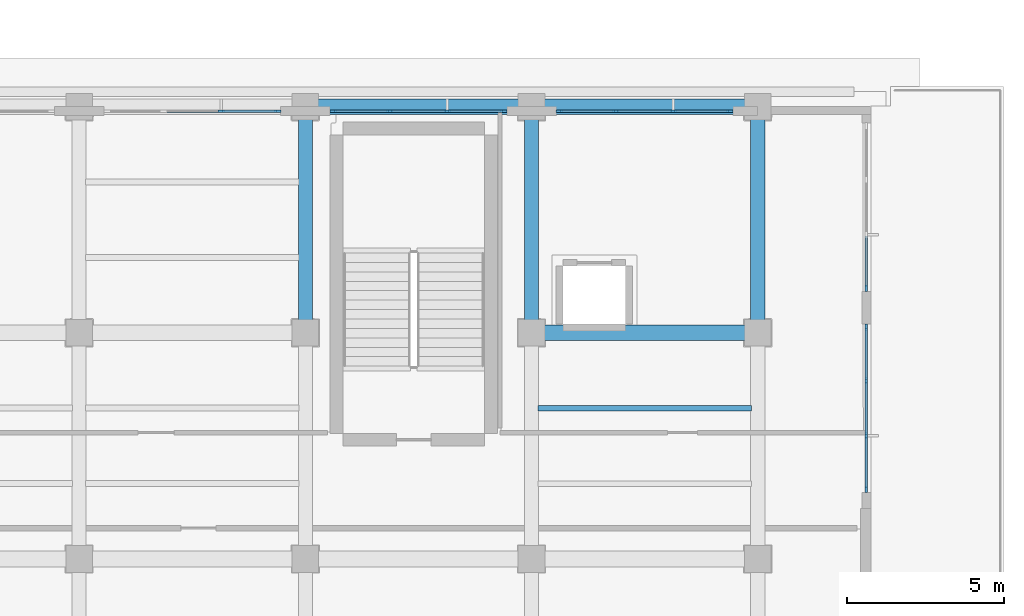
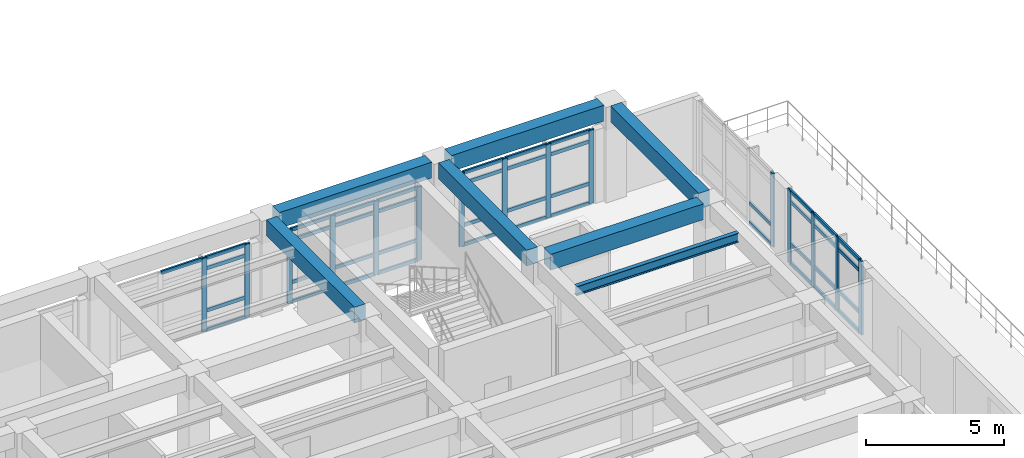
# One storey, part 58 of 98: 58 members, 7 beams, 5 elements without a shape of their own.
"""IFC4 building model written with IfcOpenShell, lengths in metres."""

from ifc_helpers import new_model, si_unit, direction, frame, origin, origin_2d, place, context, subcontext, project, spatial, rectangle, i_section, extrude, material, layer, layer_set, material_profile, profile_set, type_object, element, aggregate, save


model = new_model("IFC4")

# Units and contexts
model_context = context("Model", 3, precision=1e-05, world=origin(), true_north=direction((0.0, 1.0)))
body_context = subcontext(model_context, "Body", "Model", "MODEL_VIEW")
ifc_project = project(units=[si_unit("LENGTHUNIT", "METRE"), si_unit("AREAUNIT", "SQUARE_METRE"), si_unit("VOLUMEUNIT", "CUBIC_METRE"), si_unit("PLANEANGLEUNIT", "RADIAN"), si_unit("MASSUNIT", "GRAM", prefix="KILO")], contexts=[model_context])

# Site, building, storey
site_placement = place(None, origin())
site = spatial("IfcSite", under=ifc_project, at=site_placement, CompositionType="ELEMENT")
building_placement = place(site_placement, origin())
building = spatial("IfcBuilding", under=site, at=building_placement, Name="Solenvale Faculty of Natural Sciences", CompositionType="ELEMENT")
storey_placement = place(building_placement, frame((0.0, 0.0, 9.0)))
storey = spatial("IfcBuildingStorey", under=building, at=storey_placement, Name="L02", CompositionType="ELEMENT", Elevation=9.0)

# Beams
ifc_material_1 = material(Name="Concrete 40 MPa", Category="concrete")
ifc_material_profile_1 = material_profile(ifc_material_1, rectangle(XDim=0.449951171875, YDim=0.699951171875, at=origin_2d()), Name="RC-BM-450x700")
ifc_profile_set_1 = profile_set([ifc_material_profile_1], Name="Concrete 40 MPa")
beam_type_1 = type_object("IfcBeamType", Name="BM-RC-450x700", PredefinedType="BEAM", material=ifc_profile_set_1)
for number, where, z_axis, x_axis, name in (
    (1, (144.0, 50.804931640625, 3.8701171875), (0.0, 1.0, 0.0), (-1.0, 0.0, 0.0), "L02 Y-Girder X144.0 (50.4..57.6)"),
    (2, (151.199951171875, 50.804931640625, 3.8701171875), (0.0, 1.0, 0.0), (-1.0, 0.0, 0.0), "L02 Y-Girder X151.2 (50.4..57.6)"),
    (3, (158.39990234375, 50.804931640625, 3.8701171875), (0.0, 1.0, 0.0), (-1.0, 0.0, 0.0), "L02 Y-Girder X158.4 (50.4..57.6)"),
):
    element("IfcBeam", number, at=place(storey_placement, frame(where, z_axis=z_axis, x_axis=x_axis)), inside=storey, type_object=beam_type_1, Name=name, PredefinedType="BEAM", context=body_context, shape_type="SweptSolid", body=[
        extrude(rectangle(XDim=0.449951171875, YDim=0.699951171875, at=origin_2d()), origin(), (0.0, 0.0, 1.0), 6.39013671875),
    ])
ifc_material_profile_2 = material_profile(ifc_material_1, rectangle(XDim=0.5, YDim=0.699951171875, at=origin_2d()), Name="RC-BM-500x700")
ifc_profile_set_2 = profile_set([ifc_material_profile_2], Name="Concrete 40 MPa")
beam_type_2 = type_object("IfcBeamType", Name="BM-RC-500x700", PredefinedType="BEAM", material=ifc_profile_set_2)
beam_1_placement = place(storey_placement, frame((151.60498046875, 50.39990234375, 3.8701171875), z_axis=(1.0, 0.0, 0.0), x_axis=(0.0, 1.0, 0.0)))
element("IfcBeam", 4, at=beam_1_placement, inside=storey, type_object=beam_type_2, Name="L02 X-Girder Y50.4 (151.2..158.4)", PredefinedType="BEAM", context=body_context, shape_type="SweptSolid", body=[
    extrude(rectangle(XDim=0.5, YDim=0.699951171875, at=origin_2d()), origin(), (0.0, 0.0, 1.0), 6.39013671875),
])
beam_2_placement = place(storey_placement, frame((144.405029296875, 57.60009765625, 3.8701171875), z_axis=(1.0, 0.0, 0.0), x_axis=(0.0, 1.0, 0.0)))
element("IfcBeam", 5, at=beam_2_placement, inside=storey, type_object=beam_type_2, Name="L02 X-Girder Y57.6 (144.0..151.2)", PredefinedType="BEAM", context=body_context, shape_type="SweptSolid", body=[
    extrude(rectangle(XDim=0.5, YDim=0.699951171875, at=origin_2d()), origin(), (0.0, 0.0, 1.0), 6.389892578125),
])
beam_3_placement = place(storey_placement, frame((151.60498046875, 57.60009765625, 3.8701171875), z_axis=(1.0, 0.0, 0.0), x_axis=(0.0, 1.0, 0.0)))
element("IfcBeam", 6, at=beam_3_placement, inside=storey, type_object=beam_type_2, Name="L02 X-Girder Y57.6 (151.2..158.4)", PredefinedType="BEAM", context=body_context, shape_type="SweptSolid", body=[
    extrude(rectangle(XDim=0.5, YDim=0.699951171875, at=origin_2d()), origin(), (0.0, 0.0, 1.0), 6.39013671875),
])
ifc_material_2 = material(Name="Steel S355", Category="steel")
ifc_material_profile_3 = material_profile(ifc_material_2, i_section(OverallWidth=0.178955078125, OverallDepth=0.409912109375, WebThickness=0.0087890625, FlangeThickness=0.014404296875, FilletRadius=0.01611328125, at=origin_2d()), Name="W410x67")
ifc_profile_set_3 = profile_set([ifc_material_profile_3], Name="Steel S355")
beam_type_3 = type_object("IfcBeamType", Name="BM-STL-W410x67", PredefinedType="JOIST", material=ifc_profile_set_3)
beam_4_placement = place(storey_placement, frame((151.405029296875, 48.0, 4.014892578125), z_axis=(1.0, 0.0, 0.0), x_axis=(0.0, 1.0, 0.0)))
element("IfcBeam", 7, at=beam_4_placement, inside=storey, type_object=beam_type_3, Name="L02 Composite Floor Joist (22,7).2", PredefinedType="JOIST", context=body_context, shape_type="SweptSolid", body=[
    extrude(i_section(OverallWidth=0.178955078125, OverallDepth=0.409912109375, WebThickness=0.0087890625, FlangeThickness=0.014404296875, FilletRadius=0.01611328125, at=origin_2d()), origin(), (0.0, 0.0, 1.0), 6.7900390625),
])

# Curtain wall, members
ifc_material_3 = material(Name="Anodised bronze aluminium", Category="aluminium")
ifc_layer = layer(ifc_material_3, 0.199951171875)
ifc_layer_set = layer_set([ifc_layer], Name="Anodised bronze aluminium")
curtain_wall_type = type_object("IfcCurtainWallType", Name="CW-COM-FIN", PredefinedType="USERDEFINED", material=ifc_layer_set)
curtain_wall_1_placement = place(storey_placement, origin())
curtain_wall_1 = element("IfcCurtainWall", 8, at=curtain_wall_1_placement, inside=storey, type_object=curtain_wall_type, Name="L02 Curtain Wall CW-L02-P1-E3-B3", ObjectType="UNITISED CURTAIN WALL", PredefinedType="USERDEFINED")
ifc_material_profile_4 = material_profile(ifc_material_3, rectangle(XDim=0.074951171875, YDim=0.2099609375, at=origin_2d()), Name="ALU-MUL-75x210")
ifc_profile_set_4 = profile_set([ifc_material_profile_4], Name="Anodised bronze aluminium")
member_type_1 = type_object("IfcMemberType", Name="CWM-ALU-75x210", PredefinedType="MULLION", material=ifc_profile_set_4)
member_1_placement = place(storey_placement, frame((161.857421875, 45.41748046875, 0.0), z_axis=(0.0, 0.0, 1.0), x_axis=(-1.0, 0.0, 0.0)))
member_1 = element("IfcMember", 9, at=member_1_placement, type_object=member_type_1, Name="CW-03 mullion 1", PredefinedType="MULLION", context=body_context, shape_type="SweptSolid", body=[
    extrude(rectangle(XDim=0.074951171875, YDim=0.2099609375, at=origin_2d()), origin(), (0.0, 0.0, 1.0), 3.260009765625),
])
member_2_placement = place(storey_placement, frame((161.857421875, 47.126708984375, 0.0), z_axis=(0.0, 0.0, 1.0), x_axis=(-1.0, 0.0, 0.0)))
member_2 = element("IfcMember", 10, at=member_2_placement, type_object=member_type_1, Name="CW-03 mullion 2", PredefinedType="MULLION", context=body_context, shape_type="SweptSolid", body=[
    extrude(rectangle(XDim=0.074951171875, YDim=0.2099609375, at=origin_2d()), origin(), (0.0, 0.0, 1.0), 3.260009765625),
])
member_3_placement = place(storey_placement, frame((161.857421875, 48.873291015625, 0.0), z_axis=(0.0, 0.0, 1.0), x_axis=(-1.0, 0.0, 0.0)))
member_3 = element("IfcMember", 11, at=member_3_placement, type_object=member_type_1, Name="CW-03 mullion 3", PredefinedType="MULLION", context=body_context, shape_type="SweptSolid", body=[
    extrude(rectangle(XDim=0.074951171875, YDim=0.2099609375, at=origin_2d()), origin(), (0.0, 0.0, 1.0), 3.260009765625),
])
member_4_placement = place(storey_placement, frame((161.857421875, 50.58251953125, 0.0), z_axis=(0.0, 0.0, 1.0), x_axis=(-1.0, 0.0, 0.0)))
member_4 = element("IfcMember", 12, at=member_4_placement, type_object=member_type_1, Name="CW-03 mullion 4", PredefinedType="MULLION", context=body_context, shape_type="SweptSolid", body=[
    extrude(rectangle(XDim=0.074951171875, YDim=0.2099609375, at=origin_2d()), origin(), (0.0, 0.0, 1.0), 3.260009765625),
])

# Curtain wall, member
curtain_wall_2_placement = place(storey_placement, origin())
curtain_wall_2 = element("IfcCurtainWall", 13, at=curtain_wall_2_placement, inside=storey, type_object=curtain_wall_type, Name="L02 Curtain Wall CW-L02-P1-E3-B4", ObjectType="UNITISED CURTAIN WALL", PredefinedType="USERDEFINED")
member_5_placement = place(storey_placement, frame((161.857421875, 51.8173828125, 0.0), z_axis=(0.0, 0.0, 1.0), x_axis=(-1.0, 0.0, 0.0)))
member_5 = element("IfcMember", 14, at=member_5_placement, type_object=member_type_1, Name="CW-03 mullion 1", PredefinedType="MULLION", context=body_context, shape_type="SweptSolid", body=[
    extrude(rectangle(XDim=0.074951171875, YDim=0.2099609375, at=origin_2d()), origin(), (0.0, 0.0, 1.0), 3.260009765625),
])

# Curtain wall, members
curtain_wall_3_placement = place(storey_placement, origin())
curtain_wall_3 = element("IfcCurtainWall", 15, at=curtain_wall_3_placement, inside=storey, type_object=curtain_wall_type, Name="L02 Curtain Wall CW-L02-P1-E4-B2", ObjectType="UNITISED CURTAIN WALL", PredefinedType="USERDEFINED")
member_6_placement = place(storey_placement, frame((157.512451171875, 57.45751953125, 0.0), z_axis=(0.0, 0.0, 1.0), x_axis=(0.0, -1.0, 0.0)))
member_6 = element("IfcMember", 16, at=member_6_placement, type_object=member_type_1, Name="CW-03 mullion 1", PredefinedType="MULLION", context=body_context, shape_type="SweptSolid", body=[
    extrude(rectangle(XDim=0.074951171875, YDim=0.2099609375, at=origin_2d()), origin(), (0.0, 0.0, 1.0), 3.260009765625),
])
member_7_placement = place(storey_placement, frame((155.716552734375, 57.45751953125, 0.0), z_axis=(0.0, 0.0, 1.0), x_axis=(0.0, -1.0, 0.0)))
member_7 = element("IfcMember", 17, at=member_7_placement, type_object=member_type_1, Name="CW-03 mullion 2", PredefinedType="MULLION", context=body_context, shape_type="SweptSolid", body=[
    extrude(rectangle(XDim=0.074951171875, YDim=0.2099609375, at=origin_2d()), origin(), (0.0, 0.0, 1.0), 3.260009765625),
])
member_8_placement = place(storey_placement, frame((153.88330078125, 57.45751953125, 0.0), z_axis=(0.0, 0.0, 1.0), x_axis=(0.0, -1.0, 0.0)))
member_8 = element("IfcMember", 18, at=member_8_placement, type_object=member_type_1, Name="CW-03 mullion 3", PredefinedType="MULLION", context=body_context, shape_type="SweptSolid", body=[
    extrude(rectangle(XDim=0.074951171875, YDim=0.2099609375, at=origin_2d()), origin(), (0.0, 0.0, 1.0), 3.260009765625),
])
member_9_placement = place(storey_placement, frame((152.08740234375, 57.45751953125, 0.0), z_axis=(0.0, 0.0, 1.0), x_axis=(0.0, -1.0, 0.0)))
member_9 = element("IfcMember", 19, at=member_9_placement, type_object=member_type_1, Name="CW-03 mullion 4", PredefinedType="MULLION", context=body_context, shape_type="SweptSolid", body=[
    extrude(rectangle(XDim=0.074951171875, YDim=0.2099609375, at=origin_2d()), origin(), (0.0, 0.0, 1.0), 3.260009765625),
])

curtain_wall_4_placement = place(storey_placement, origin())
curtain_wall_4 = element("IfcCurtainWall", 20, at=curtain_wall_4_placement, inside=storey, type_object=curtain_wall_type, Name="L02 Curtain Wall CW-L02-P1-E4-B3", ObjectType="UNITISED CURTAIN WALL", PredefinedType="USERDEFINED")
member_10_placement = place(storey_placement, frame((150.3125, 57.45751953125, 0.0), z_axis=(0.0, 0.0, 1.0), x_axis=(0.0, -1.0, 0.0)))
member_10 = element("IfcMember", 21, at=member_10_placement, type_object=member_type_1, Name="CW-03 mullion 1", PredefinedType="MULLION", context=body_context, shape_type="SweptSolid", body=[
    extrude(rectangle(XDim=0.074951171875, YDim=0.2099609375, at=origin_2d()), origin(), (0.0, 0.0, 1.0), 3.260009765625),
])
member_11_placement = place(storey_placement, frame((148.5166015625, 57.45751953125, 0.0), z_axis=(0.0, 0.0, 1.0), x_axis=(0.0, -1.0, 0.0)))
member_11 = element("IfcMember", 22, at=member_11_placement, type_object=member_type_1, Name="CW-03 mullion 2", PredefinedType="MULLION", context=body_context, shape_type="SweptSolid", body=[
    extrude(rectangle(XDim=0.074951171875, YDim=0.2099609375, at=origin_2d()), origin(), (0.0, 0.0, 1.0), 3.260009765625),
])
member_12_placement = place(storey_placement, frame((146.683349609375, 57.45751953125, 0.0), z_axis=(0.0, 0.0, 1.0), x_axis=(0.0, -1.0, 0.0)))
member_12 = element("IfcMember", 23, at=member_12_placement, type_object=member_type_1, Name="CW-03 mullion 3", PredefinedType="MULLION", context=body_context, shape_type="SweptSolid", body=[
    extrude(rectangle(XDim=0.074951171875, YDim=0.2099609375, at=origin_2d()), origin(), (0.0, 0.0, 1.0), 3.260009765625),
])
member_13_placement = place(storey_placement, frame((144.887451171875, 57.45751953125, 0.0), z_axis=(0.0, 0.0, 1.0), x_axis=(0.0, -1.0, 0.0)))
member_13 = element("IfcMember", 24, at=member_13_placement, type_object=member_type_1, Name="CW-03 mullion 4", PredefinedType="MULLION", context=body_context, shape_type="SweptSolid", body=[
    extrude(rectangle(XDim=0.074951171875, YDim=0.2099609375, at=origin_2d()), origin(), (0.0, 0.0, 1.0), 3.260009765625),
])

curtain_wall_5_placement = place(storey_placement, origin())
curtain_wall_5 = element("IfcCurtainWall", 25, at=curtain_wall_5_placement, inside=storey, type_object=curtain_wall_type, Name="L02 Curtain Wall CW-L02-P1-E4-B4", ObjectType="UNITISED CURTAIN WALL", PredefinedType="USERDEFINED")
member_14_placement = place(storey_placement, frame((143.112548828125, 57.45751953125, 0.0), z_axis=(0.0, 0.0, 1.0), x_axis=(0.0, -1.0, 0.0)))
member_14 = element("IfcMember", 26, at=member_14_placement, type_object=member_type_1, Name="CW-03 mullion 1", PredefinedType="MULLION", context=body_context, shape_type="SweptSolid", body=[
    extrude(rectangle(XDim=0.074951171875, YDim=0.2099609375, at=origin_2d()), origin(), (0.0, 0.0, 1.0), 3.260009765625),
])
member_15_placement = place(storey_placement, frame((141.316650390625, 57.45751953125, 0.0), z_axis=(0.0, 0.0, 1.0), x_axis=(0.0, -1.0, 0.0)))
member_15 = element("IfcMember", 27, at=member_15_placement, type_object=member_type_1, Name="CW-03 mullion 2", PredefinedType="MULLION", context=body_context, shape_type="SweptSolid", body=[
    extrude(rectangle(XDim=0.074951171875, YDim=0.2099609375, at=origin_2d()), origin(), (0.0, 0.0, 1.0), 3.260009765625),
])

# Member
ifc_material_profile_5 = material_profile(ifc_material_3, rectangle(XDim=0.074951171875, YDim=0.155029296875, at=origin_2d()), Name="ALU-TRN-75x155")
ifc_profile_set_5 = profile_set([ifc_material_profile_5], Name="Anodised bronze aluminium")
member_type_2 = type_object("IfcMemberType", Name="CWT-ALU-75x155", PredefinedType="USERDEFINED", material=ifc_profile_set_5)
member_16_placement = place(storey_placement, frame((161.857421875, 45.455078125, 0.03759765625), z_axis=(0.0, 1.0, 0.0), x_axis=(-1.0, 0.0, 0.0)))
member_16 = element("IfcMember", 28, at=member_16_placement, type_object=member_type_2, Name="CW-03 transom 1.1", ObjectType="TRANSOM", PredefinedType="USERDEFINED", context=body_context, shape_type="SweptSolid", body=[
    extrude(rectangle(XDim=0.074951171875, YDim=0.155029296875, at=origin_2d()), origin(), (0.0, 0.0, 1.0), 1.634033203125),
])

member_17_placement = place(storey_placement, frame((161.857421875, 45.455078125, 0.89990234375), z_axis=(0.0, 1.0, 0.0), x_axis=(-1.0, 0.0, 0.0)))
member_17 = element("IfcMember", 29, at=member_17_placement, type_object=member_type_2, Name="CW-03 transom 1.2", ObjectType="TRANSOM", PredefinedType="USERDEFINED", context=body_context, shape_type="SweptSolid", body=[
    extrude(rectangle(XDim=0.074951171875, YDim=0.155029296875, at=origin_2d()), origin(), (0.0, 0.0, 1.0), 1.634033203125),
])

member_18_placement = place(storey_placement, frame((161.857421875, 45.455078125, 2.760009765625), z_axis=(0.0, 1.0, 0.0), x_axis=(-1.0, 0.0, 0.0)))
member_18 = element("IfcMember", 30, at=member_18_placement, type_object=member_type_2, Name="CW-03 transom 1.3", ObjectType="TRANSOM", PredefinedType="USERDEFINED", context=body_context, shape_type="SweptSolid", body=[
    extrude(rectangle(XDim=0.074951171875, YDim=0.155029296875, at=origin_2d()), origin(), (0.0, 0.0, 1.0), 1.634033203125),
])

member_19_placement = place(storey_placement, frame((161.857421875, 45.455078125, 3.222412109375), z_axis=(0.0, 1.0, 0.0), x_axis=(-1.0, 0.0, 0.0)))
member_19 = element("IfcMember", 31, at=member_19_placement, type_object=member_type_2, Name="CW-03 transom 1.4", ObjectType="TRANSOM", PredefinedType="USERDEFINED", context=body_context, shape_type="SweptSolid", body=[
    extrude(rectangle(XDim=0.074951171875, YDim=0.155029296875, at=origin_2d()), origin(), (0.0, 0.0, 1.0), 1.634033203125),
])

member_20_placement = place(storey_placement, frame((161.857421875, 47.1640625, 0.03759765625), z_axis=(0.0, 1.0, 0.0), x_axis=(-1.0, 0.0, 0.0)))
member_20 = element("IfcMember", 32, at=member_20_placement, type_object=member_type_2, Name="CW-03 transom 2.1", ObjectType="TRANSOM", PredefinedType="USERDEFINED", context=body_context, shape_type="SweptSolid", body=[
    extrude(rectangle(XDim=0.074951171875, YDim=0.155029296875, at=origin_2d()), origin(), (0.0, 0.0, 1.0), 1.671875),
])

member_21_placement = place(storey_placement, frame((161.857421875, 47.1640625, 0.89990234375), z_axis=(0.0, 1.0, 0.0), x_axis=(-1.0, 0.0, 0.0)))
member_21 = element("IfcMember", 33, at=member_21_placement, type_object=member_type_2, Name="CW-03 transom 2.2", ObjectType="TRANSOM", PredefinedType="USERDEFINED", context=body_context, shape_type="SweptSolid", body=[
    extrude(rectangle(XDim=0.074951171875, YDim=0.155029296875, at=origin_2d()), origin(), (0.0, 0.0, 1.0), 1.671875),
])

member_22_placement = place(storey_placement, frame((161.857421875, 47.1640625, 2.760009765625), z_axis=(0.0, 1.0, 0.0), x_axis=(-1.0, 0.0, 0.0)))
member_22 = element("IfcMember", 34, at=member_22_placement, type_object=member_type_2, Name="CW-03 transom 2.3", ObjectType="TRANSOM", PredefinedType="USERDEFINED", context=body_context, shape_type="SweptSolid", body=[
    extrude(rectangle(XDim=0.074951171875, YDim=0.155029296875, at=origin_2d()), origin(), (0.0, 0.0, 1.0), 1.671875),
])

member_23_placement = place(storey_placement, frame((161.857421875, 47.1640625, 3.222412109375), z_axis=(0.0, 1.0, 0.0), x_axis=(-1.0, 0.0, 0.0)))
member_23 = element("IfcMember", 35, at=member_23_placement, type_object=member_type_2, Name="CW-03 transom 2.4", ObjectType="TRANSOM", PredefinedType="USERDEFINED", context=body_context, shape_type="SweptSolid", body=[
    extrude(rectangle(XDim=0.074951171875, YDim=0.155029296875, at=origin_2d()), origin(), (0.0, 0.0, 1.0), 1.671875),
])

member_24_placement = place(storey_placement, frame((161.857421875, 48.910888671875, 0.03759765625), z_axis=(0.0, 1.0, 0.0), x_axis=(-1.0, 0.0, 0.0)))
member_24 = element("IfcMember", 36, at=member_24_placement, type_object=member_type_2, Name="CW-03 transom 3.1", ObjectType="TRANSOM", PredefinedType="USERDEFINED", context=body_context, shape_type="SweptSolid", body=[
    extrude(rectangle(XDim=0.074951171875, YDim=0.155029296875, at=origin_2d()), origin(), (0.0, 0.0, 1.0), 1.634033203125),
])

member_25_placement = place(storey_placement, frame((161.857421875, 48.910888671875, 0.89990234375), z_axis=(0.0, 1.0, 0.0), x_axis=(-1.0, 0.0, 0.0)))
member_25 = element("IfcMember", 37, at=member_25_placement, type_object=member_type_2, Name="CW-03 transom 3.2", ObjectType="TRANSOM", PredefinedType="USERDEFINED", context=body_context, shape_type="SweptSolid", body=[
    extrude(rectangle(XDim=0.074951171875, YDim=0.155029296875, at=origin_2d()), origin(), (0.0, 0.0, 1.0), 1.634033203125),
])

member_26_placement = place(storey_placement, frame((161.857421875, 48.910888671875, 2.760009765625), z_axis=(0.0, 1.0, 0.0), x_axis=(-1.0, 0.0, 0.0)))
member_26 = element("IfcMember", 38, at=member_26_placement, type_object=member_type_2, Name="CW-03 transom 3.3", ObjectType="TRANSOM", PredefinedType="USERDEFINED", context=body_context, shape_type="SweptSolid", body=[
    extrude(rectangle(XDim=0.074951171875, YDim=0.155029296875, at=origin_2d()), origin(), (0.0, 0.0, 1.0), 1.634033203125),
])

member_27_placement = place(storey_placement, frame((161.857421875, 48.910888671875, 3.222412109375), z_axis=(0.0, 1.0, 0.0), x_axis=(-1.0, 0.0, 0.0)))
member_27 = element("IfcMember", 39, at=member_27_placement, type_object=member_type_2, Name="CW-03 transom 3.4", ObjectType="TRANSOM", PredefinedType="USERDEFINED", context=body_context, shape_type="SweptSolid", body=[
    extrude(rectangle(XDim=0.074951171875, YDim=0.155029296875, at=origin_2d()), origin(), (0.0, 0.0, 1.0), 1.634033203125),
])

aggregate(curtain_wall_1, [member_1, member_2, member_3, member_4, member_16, member_17, member_18, member_19, member_20, member_21, member_22, member_23, member_24, member_25, member_26, member_27])

member_28_placement = place(storey_placement, frame((161.857421875, 51.85498046875, 0.03759765625), z_axis=(0.0, 1.0, 0.0), x_axis=(-1.0, 0.0, 0.0)))
member_28 = element("IfcMember", 40, at=member_28_placement, type_object=member_type_2, Name="CW-03 transom 1.1", ObjectType="TRANSOM", PredefinedType="USERDEFINED", context=body_context, shape_type="SweptSolid", body=[
    extrude(rectangle(XDim=0.074951171875, YDim=0.155029296875, at=origin_2d()), origin(), (0.0, 0.0, 1.0), 1.63427734375),
])

member_29_placement = place(storey_placement, frame((161.857421875, 51.85498046875, 0.89990234375), z_axis=(0.0, 1.0, 0.0), x_axis=(-1.0, 0.0, 0.0)))
member_29 = element("IfcMember", 41, at=member_29_placement, type_object=member_type_2, Name="CW-03 transom 1.2", ObjectType="TRANSOM", PredefinedType="USERDEFINED", context=body_context, shape_type="SweptSolid", body=[
    extrude(rectangle(XDim=0.074951171875, YDim=0.155029296875, at=origin_2d()), origin(), (0.0, 0.0, 1.0), 1.63427734375),
])

aggregate(curtain_wall_2, [member_5, member_28, member_29])

member_30_placement = place(storey_placement, frame((157.47509765625, 57.45751953125, 0.03759765625), z_axis=(-1.0, 0.0, 0.0), x_axis=(0.0, -1.0, 0.0)))
member_30 = element("IfcMember", 42, at=member_30_placement, type_object=member_type_2, Name="CW-03 transom 1.1", ObjectType="TRANSOM", PredefinedType="USERDEFINED", context=body_context, shape_type="SweptSolid", body=[
    extrude(rectangle(XDim=0.074951171875, YDim=0.155029296875, at=origin_2d()), origin(), (0.0, 0.0, 1.0), 1.720947265625),
])

member_31_placement = place(storey_placement, frame((157.47509765625, 57.45751953125, 0.89990234375), z_axis=(-1.0, 0.0, 0.0), x_axis=(0.0, -1.0, 0.0)))
member_31 = element("IfcMember", 43, at=member_31_placement, type_object=member_type_2, Name="CW-03 transom 1.2", ObjectType="TRANSOM", PredefinedType="USERDEFINED", context=body_context, shape_type="SweptSolid", body=[
    extrude(rectangle(XDim=0.074951171875, YDim=0.155029296875, at=origin_2d()), origin(), (0.0, 0.0, 1.0), 1.720947265625),
])

member_32_placement = place(storey_placement, frame((157.47509765625, 57.45751953125, 2.760009765625), z_axis=(-1.0, 0.0, 0.0), x_axis=(0.0, -1.0, 0.0)))
member_32 = element("IfcMember", 44, at=member_32_placement, type_object=member_type_2, Name="CW-03 transom 1.3", ObjectType="TRANSOM", PredefinedType="USERDEFINED", context=body_context, shape_type="SweptSolid", body=[
    extrude(rectangle(XDim=0.074951171875, YDim=0.155029296875, at=origin_2d()), origin(), (0.0, 0.0, 1.0), 1.720947265625),
])

member_33_placement = place(storey_placement, frame((157.47509765625, 57.45751953125, 3.222412109375), z_axis=(-1.0, 0.0, 0.0), x_axis=(0.0, -1.0, 0.0)))
member_33 = element("IfcMember", 45, at=member_33_placement, type_object=member_type_2, Name="CW-03 transom 1.4", ObjectType="TRANSOM", PredefinedType="USERDEFINED", context=body_context, shape_type="SweptSolid", body=[
    extrude(rectangle(XDim=0.074951171875, YDim=0.155029296875, at=origin_2d()), origin(), (0.0, 0.0, 1.0), 1.720947265625),
])

member_34_placement = place(storey_placement, frame((155.67919921875, 57.45751953125, 0.03759765625), z_axis=(-1.0, 0.0, 0.0), x_axis=(0.0, -1.0, 0.0)))
member_34 = element("IfcMember", 46, at=member_34_placement, type_object=member_type_2, Name="CW-03 transom 2.1", ObjectType="TRANSOM", PredefinedType="USERDEFINED", context=body_context, shape_type="SweptSolid", body=[
    extrude(rectangle(XDim=0.074951171875, YDim=0.155029296875, at=origin_2d()), origin(), (0.0, 0.0, 1.0), 1.75830078125),
])

member_35_placement = place(storey_placement, frame((155.67919921875, 57.45751953125, 0.89990234375), z_axis=(-1.0, 0.0, 0.0), x_axis=(0.0, -1.0, 0.0)))
member_35 = element("IfcMember", 47, at=member_35_placement, type_object=member_type_2, Name="CW-03 transom 2.2", ObjectType="TRANSOM", PredefinedType="USERDEFINED", context=body_context, shape_type="SweptSolid", body=[
    extrude(rectangle(XDim=0.074951171875, YDim=0.155029296875, at=origin_2d()), origin(), (0.0, 0.0, 1.0), 1.75830078125),
])

member_36_placement = place(storey_placement, frame((155.67919921875, 57.45751953125, 2.760009765625), z_axis=(-1.0, 0.0, 0.0), x_axis=(0.0, -1.0, 0.0)))
member_36 = element("IfcMember", 48, at=member_36_placement, type_object=member_type_2, Name="CW-03 transom 2.3", ObjectType="TRANSOM", PredefinedType="USERDEFINED", context=body_context, shape_type="SweptSolid", body=[
    extrude(rectangle(XDim=0.074951171875, YDim=0.155029296875, at=origin_2d()), origin(), (0.0, 0.0, 1.0), 1.75830078125),
])

member_37_placement = place(storey_placement, frame((155.67919921875, 57.45751953125, 3.222412109375), z_axis=(-1.0, 0.0, 0.0), x_axis=(0.0, -1.0, 0.0)))
member_37 = element("IfcMember", 49, at=member_37_placement, type_object=member_type_2, Name="CW-03 transom 2.4", ObjectType="TRANSOM", PredefinedType="USERDEFINED", context=body_context, shape_type="SweptSolid", body=[
    extrude(rectangle(XDim=0.074951171875, YDim=0.155029296875, at=origin_2d()), origin(), (0.0, 0.0, 1.0), 1.75830078125),
])

member_38_placement = place(storey_placement, frame((153.845947265625, 57.45751953125, 0.03759765625), z_axis=(-1.0, 0.0, 0.0), x_axis=(0.0, -1.0, 0.0)))
member_38 = element("IfcMember", 50, at=member_38_placement, type_object=member_type_2, Name="CW-03 transom 3.1", ObjectType="TRANSOM", PredefinedType="USERDEFINED", context=body_context, shape_type="SweptSolid", body=[
    extrude(rectangle(XDim=0.074951171875, YDim=0.155029296875, at=origin_2d()), origin(), (0.0, 0.0, 1.0), 1.720947265625),
])

member_39_placement = place(storey_placement, frame((153.845947265625, 57.45751953125, 0.89990234375), z_axis=(-1.0, 0.0, 0.0), x_axis=(0.0, -1.0, 0.0)))
member_39 = element("IfcMember", 51, at=member_39_placement, type_object=member_type_2, Name="CW-03 transom 3.2", ObjectType="TRANSOM", PredefinedType="USERDEFINED", context=body_context, shape_type="SweptSolid", body=[
    extrude(rectangle(XDim=0.074951171875, YDim=0.155029296875, at=origin_2d()), origin(), (0.0, 0.0, 1.0), 1.720947265625),
])

member_40_placement = place(storey_placement, frame((153.845947265625, 57.45751953125, 2.760009765625), z_axis=(-1.0, 0.0, 0.0), x_axis=(0.0, -1.0, 0.0)))
member_40 = element("IfcMember", 52, at=member_40_placement, type_object=member_type_2, Name="CW-03 transom 3.3", ObjectType="TRANSOM", PredefinedType="USERDEFINED", context=body_context, shape_type="SweptSolid", body=[
    extrude(rectangle(XDim=0.074951171875, YDim=0.155029296875, at=origin_2d()), origin(), (0.0, 0.0, 1.0), 1.720947265625),
])

member_41_placement = place(storey_placement, frame((153.845947265625, 57.45751953125, 3.222412109375), z_axis=(-1.0, 0.0, 0.0), x_axis=(0.0, -1.0, 0.0)))
member_41 = element("IfcMember", 53, at=member_41_placement, type_object=member_type_2, Name="CW-03 transom 3.4", ObjectType="TRANSOM", PredefinedType="USERDEFINED", context=body_context, shape_type="SweptSolid", body=[
    extrude(rectangle(XDim=0.074951171875, YDim=0.155029296875, at=origin_2d()), origin(), (0.0, 0.0, 1.0), 1.720947265625),
])

aggregate(curtain_wall_3, [member_6, member_7, member_8, member_9, member_30, member_31, member_32, member_33, member_34, member_35, member_36, member_37, member_38, member_39, member_40, member_41])

member_42_placement = place(storey_placement, frame((150.27490234375, 57.45751953125, 0.03759765625), z_axis=(-1.0, 0.0, 0.0), x_axis=(0.0, -1.0, 0.0)))
member_42 = element("IfcMember", 54, at=member_42_placement, type_object=member_type_2, Name="CW-03 transom 1.1", ObjectType="TRANSOM", PredefinedType="USERDEFINED", context=body_context, shape_type="SweptSolid", body=[
    extrude(rectangle(XDim=0.074951171875, YDim=0.155029296875, at=origin_2d()), origin(), (0.0, 0.0, 1.0), 1.720703125),
])

member_43_placement = place(storey_placement, frame((150.27490234375, 57.45751953125, 0.89990234375), z_axis=(-1.0, 0.0, 0.0), x_axis=(0.0, -1.0, 0.0)))
member_43 = element("IfcMember", 55, at=member_43_placement, type_object=member_type_2, Name="CW-03 transom 1.2", ObjectType="TRANSOM", PredefinedType="USERDEFINED", context=body_context, shape_type="SweptSolid", body=[
    extrude(rectangle(XDim=0.074951171875, YDim=0.155029296875, at=origin_2d()), origin(), (0.0, 0.0, 1.0), 1.720703125),
])

member_44_placement = place(storey_placement, frame((150.27490234375, 57.45751953125, 2.760009765625), z_axis=(-1.0, 0.0, 0.0), x_axis=(0.0, -1.0, 0.0)))
member_44 = element("IfcMember", 56, at=member_44_placement, type_object=member_type_2, Name="CW-03 transom 1.3", ObjectType="TRANSOM", PredefinedType="USERDEFINED", context=body_context, shape_type="SweptSolid", body=[
    extrude(rectangle(XDim=0.074951171875, YDim=0.155029296875, at=origin_2d()), origin(), (0.0, 0.0, 1.0), 1.720703125),
])

member_45_placement = place(storey_placement, frame((150.27490234375, 57.45751953125, 3.222412109375), z_axis=(-1.0, 0.0, 0.0), x_axis=(0.0, -1.0, 0.0)))
member_45 = element("IfcMember", 57, at=member_45_placement, type_object=member_type_2, Name="CW-03 transom 1.4", ObjectType="TRANSOM", PredefinedType="USERDEFINED", context=body_context, shape_type="SweptSolid", body=[
    extrude(rectangle(XDim=0.074951171875, YDim=0.155029296875, at=origin_2d()), origin(), (0.0, 0.0, 1.0), 1.720703125),
])

member_46_placement = place(storey_placement, frame((148.479248046875, 57.45751953125, 0.03759765625), z_axis=(-1.0, 0.0, 0.0), x_axis=(0.0, -1.0, 0.0)))
member_46 = element("IfcMember", 58, at=member_46_placement, type_object=member_type_2, Name="CW-03 transom 2.1", ObjectType="TRANSOM", PredefinedType="USERDEFINED", context=body_context, shape_type="SweptSolid", body=[
    extrude(rectangle(XDim=0.074951171875, YDim=0.155029296875, at=origin_2d()), origin(), (0.0, 0.0, 1.0), 1.75830078125),
])

member_47_placement = place(storey_placement, frame((148.479248046875, 57.45751953125, 0.89990234375), z_axis=(-1.0, 0.0, 0.0), x_axis=(0.0, -1.0, 0.0)))
member_47 = element("IfcMember", 59, at=member_47_placement, type_object=member_type_2, Name="CW-03 transom 2.2", ObjectType="TRANSOM", PredefinedType="USERDEFINED", context=body_context, shape_type="SweptSolid", body=[
    extrude(rectangle(XDim=0.074951171875, YDim=0.155029296875, at=origin_2d()), origin(), (0.0, 0.0, 1.0), 1.75830078125),
])

member_48_placement = place(storey_placement, frame((148.479248046875, 57.45751953125, 2.760009765625), z_axis=(-1.0, 0.0, 0.0), x_axis=(0.0, -1.0, 0.0)))
member_48 = element("IfcMember", 60, at=member_48_placement, type_object=member_type_2, Name="CW-03 transom 2.3", ObjectType="TRANSOM", PredefinedType="USERDEFINED", context=body_context, shape_type="SweptSolid", body=[
    extrude(rectangle(XDim=0.074951171875, YDim=0.155029296875, at=origin_2d()), origin(), (0.0, 0.0, 1.0), 1.75830078125),
])

member_49_placement = place(storey_placement, frame((148.479248046875, 57.45751953125, 3.222412109375), z_axis=(-1.0, 0.0, 0.0), x_axis=(0.0, -1.0, 0.0)))
member_49 = element("IfcMember", 61, at=member_49_placement, type_object=member_type_2, Name="CW-03 transom 2.4", ObjectType="TRANSOM", PredefinedType="USERDEFINED", context=body_context, shape_type="SweptSolid", body=[
    extrude(rectangle(XDim=0.074951171875, YDim=0.155029296875, at=origin_2d()), origin(), (0.0, 0.0, 1.0), 1.75830078125),
])

member_50_placement = place(storey_placement, frame((146.645751953125, 57.45751953125, 0.03759765625), z_axis=(-1.0, 0.0, 0.0), x_axis=(0.0, -1.0, 0.0)))
member_50 = element("IfcMember", 62, at=member_50_placement, type_object=member_type_2, Name="CW-03 transom 3.1", ObjectType="TRANSOM", PredefinedType="USERDEFINED", context=body_context, shape_type="SweptSolid", body=[
    extrude(rectangle(XDim=0.074951171875, YDim=0.155029296875, at=origin_2d()), origin(), (0.0, 0.0, 1.0), 1.720703125),
])

member_51_placement = place(storey_placement, frame((146.645751953125, 57.45751953125, 0.89990234375), z_axis=(-1.0, 0.0, 0.0), x_axis=(0.0, -1.0, 0.0)))
member_51 = element("IfcMember", 63, at=member_51_placement, type_object=member_type_2, Name="CW-03 transom 3.2", ObjectType="TRANSOM", PredefinedType="USERDEFINED", context=body_context, shape_type="SweptSolid", body=[
    extrude(rectangle(XDim=0.074951171875, YDim=0.155029296875, at=origin_2d()), origin(), (0.0, 0.0, 1.0), 1.720703125),
])

member_52_placement = place(storey_placement, frame((146.645751953125, 57.45751953125, 2.760009765625), z_axis=(-1.0, 0.0, 0.0), x_axis=(0.0, -1.0, 0.0)))
member_52 = element("IfcMember", 64, at=member_52_placement, type_object=member_type_2, Name="CW-03 transom 3.3", ObjectType="TRANSOM", PredefinedType="USERDEFINED", context=body_context, shape_type="SweptSolid", body=[
    extrude(rectangle(XDim=0.074951171875, YDim=0.155029296875, at=origin_2d()), origin(), (0.0, 0.0, 1.0), 1.720703125),
])

member_53_placement = place(storey_placement, frame((146.645751953125, 57.45751953125, 3.222412109375), z_axis=(-1.0, 0.0, 0.0), x_axis=(0.0, -1.0, 0.0)))
member_53 = element("IfcMember", 65, at=member_53_placement, type_object=member_type_2, Name="CW-03 transom 3.4", ObjectType="TRANSOM", PredefinedType="USERDEFINED", context=body_context, shape_type="SweptSolid", body=[
    extrude(rectangle(XDim=0.074951171875, YDim=0.155029296875, at=origin_2d()), origin(), (0.0, 0.0, 1.0), 1.720703125),
])

aggregate(curtain_wall_4, [member_10, member_11, member_12, member_13, member_42, member_43, member_44, member_45, member_46, member_47, member_48, member_49, member_50, member_51, member_52, member_53])

member_54_placement = place(storey_placement, frame((143.074951171875, 57.45751953125, 0.03759765625), z_axis=(-1.0, 0.0, 0.0), x_axis=(0.0, -1.0, 0.0)))
member_54 = element("IfcMember", 66, at=member_54_placement, type_object=member_type_2, Name="CW-03 transom 1.1", ObjectType="TRANSOM", PredefinedType="USERDEFINED", context=body_context, shape_type="SweptSolid", body=[
    extrude(rectangle(XDim=0.074951171875, YDim=0.155029296875, at=origin_2d()), origin(), (0.0, 0.0, 1.0), 1.720703125),
])

member_55_placement = place(storey_placement, frame((143.074951171875, 57.45751953125, 0.89990234375), z_axis=(-1.0, 0.0, 0.0), x_axis=(0.0, -1.0, 0.0)))
member_55 = element("IfcMember", 67, at=member_55_placement, type_object=member_type_2, Name="CW-03 transom 1.2", ObjectType="TRANSOM", PredefinedType="USERDEFINED", context=body_context, shape_type="SweptSolid", body=[
    extrude(rectangle(XDim=0.074951171875, YDim=0.155029296875, at=origin_2d()), origin(), (0.0, 0.0, 1.0), 1.720703125),
])

member_56_placement = place(storey_placement, frame((143.074951171875, 57.45751953125, 2.760009765625), z_axis=(-1.0, 0.0, 0.0), x_axis=(0.0, -1.0, 0.0)))
member_56 = element("IfcMember", 68, at=member_56_placement, type_object=member_type_2, Name="CW-03 transom 1.3", ObjectType="TRANSOM", PredefinedType="USERDEFINED", context=body_context, shape_type="SweptSolid", body=[
    extrude(rectangle(XDim=0.074951171875, YDim=0.155029296875, at=origin_2d()), origin(), (0.0, 0.0, 1.0), 1.720703125),
])

member_57_placement = place(storey_placement, frame((143.074951171875, 57.45751953125, 3.222412109375), z_axis=(-1.0, 0.0, 0.0), x_axis=(0.0, -1.0, 0.0)))
member_57 = element("IfcMember", 69, at=member_57_placement, type_object=member_type_2, Name="CW-03 transom 1.4", ObjectType="TRANSOM", PredefinedType="USERDEFINED", context=body_context, shape_type="SweptSolid", body=[
    extrude(rectangle(XDim=0.074951171875, YDim=0.155029296875, at=origin_2d()), origin(), (0.0, 0.0, 1.0), 1.720703125),
])

member_58_placement = place(storey_placement, frame((141.279052734375, 57.45751953125, 3.222412109375), z_axis=(-1.0, 0.0, 0.0), x_axis=(0.0, -1.0, 0.0)))
member_58 = element("IfcMember", 70, at=member_58_placement, type_object=member_type_2, Name="CW-03 transom 2.4", ObjectType="TRANSOM", PredefinedType="USERDEFINED", context=body_context, shape_type="SweptSolid", body=[
    extrude(rectangle(XDim=0.074951171875, YDim=0.155029296875, at=origin_2d()), origin(), (0.0, 0.0, 1.0), 1.75830078125),
])

aggregate(curtain_wall_5, [member_14, member_15, member_54, member_55, member_56, member_57, member_58])

save(model, "model.ifc")
